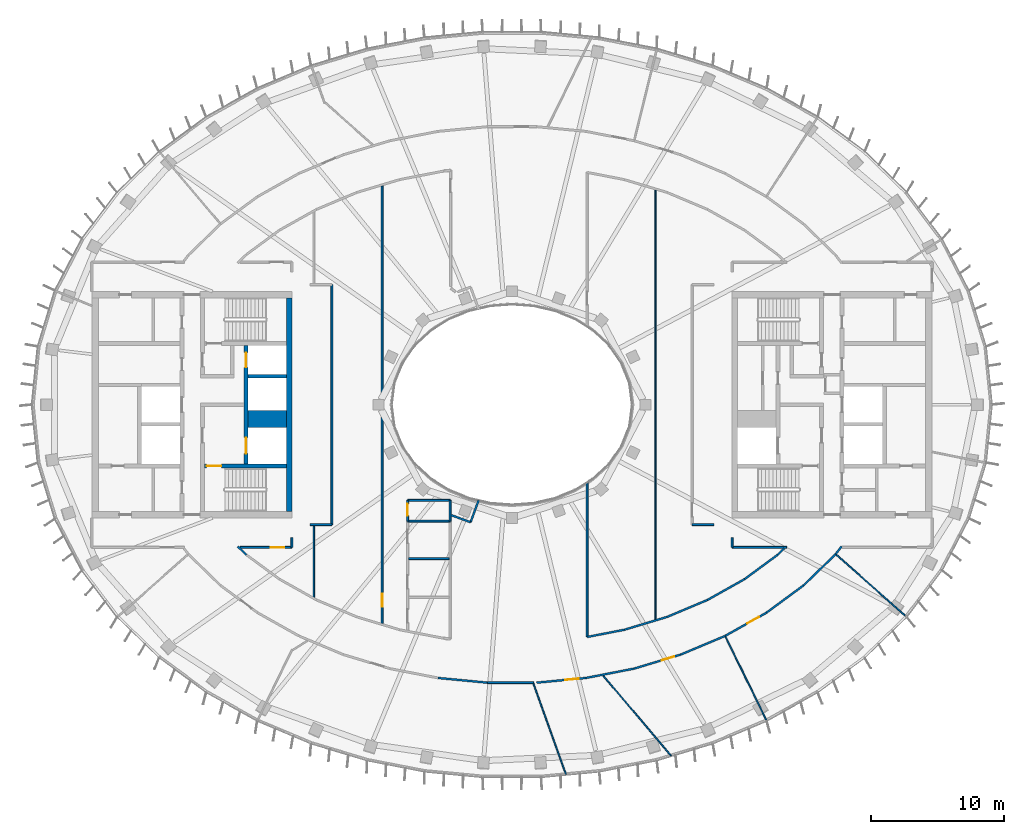
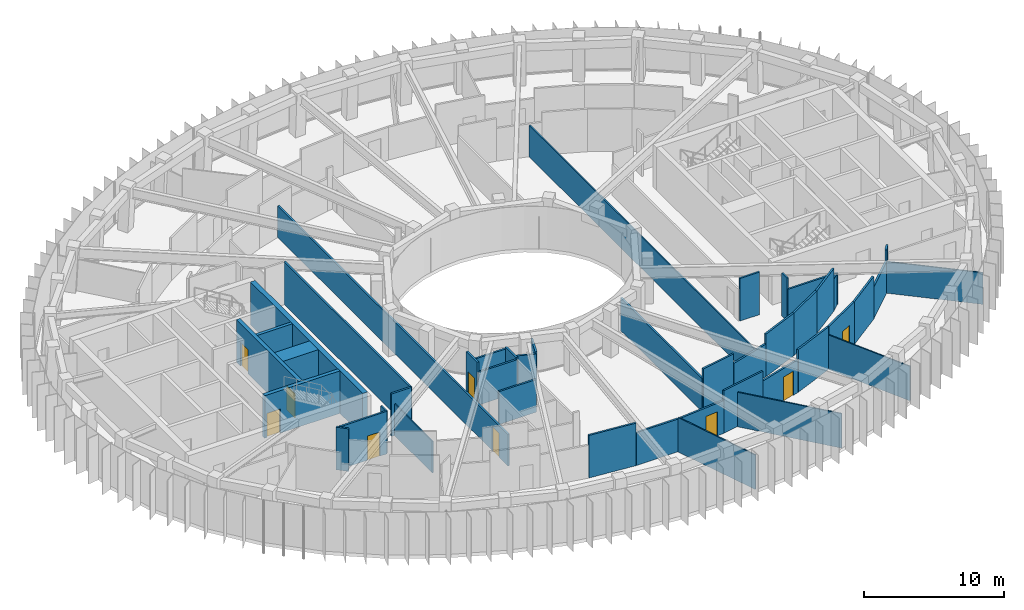
# One storey, part 4 of 13: 44 walls, 9 doors, 9 openings.
"""IFC4 building model written with IfcOpenShell, lengths in metres."""

from ifc_helpers import new_model, si_unit, direction, frame, frame_2d, origin, place, context, subcontext, project, spatial, rectangle, extrude, material, layer, layer_set, type_object, element, fill, save


model = new_model("IFC4")

# Units and contexts
model_context = context("Model", 3, precision=1e-05, world=origin(), true_north=direction((0.0, 1.0)))
body_context = subcontext(model_context, "Body", "Model", "MODEL_VIEW")
ifc_project = project(units=[si_unit("LENGTHUNIT", "METRE"), si_unit("AREAUNIT", "SQUARE_METRE"), si_unit("VOLUMEUNIT", "CUBIC_METRE"), si_unit("PLANEANGLEUNIT", "RADIAN"), si_unit("MASSUNIT", "GRAM", prefix="KILO")], contexts=[model_context])

# Site, building, storey
site_placement = place(None, origin())
site = spatial("IfcSite", under=ifc_project, at=site_placement, CompositionType="ELEMENT")
building_placement = place(site_placement, origin())
building = spatial("IfcBuilding", under=site, at=building_placement, Name="Noorbagh Ring Tower", CompositionType="ELEMENT")
storey_placement = place(building_placement, frame((0.0, 0.0, 327.0)))
storey = spatial("IfcBuildingStorey", under=building, at=storey_placement, Name="L71", CompositionType="ELEMENT", Elevation=327.0)

# Wall, opening, door
ifc_material_1 = material(Name="Gypsum board on steel studs", Category="steel")
ifc_layer_1 = layer(ifc_material_1, 0.14990234375)
ifc_layer_set_1 = layer_set([ifc_layer_1], Name="Gypsum board on steel studs")
wall_type_1 = type_object("IfcWallType", Name="COMPARTMENT PARTITION 150 EI 60", PredefinedType="PARTITIONING", material=ifc_layer_set_1)
wall_1_placement = place(storey_placement, frame((-7.8349609375, -8.73095703125, 0.0), z_axis=(0.0, 0.0, 1.0), x_axis=(0.0, 1.0, 0.0)))
wall_1 = element("IfcWall", 1, at=wall_1_placement, inside=storey, type_object=wall_type_1, Name="L71/wall/P51", PredefinedType="PARTITIONING", context=body_context, shape_type="SweptSolid", body=[
    extrude(rectangle(XDim=1.56005859375, YDim=0.14990234375, at=frame_2d((0.780029296875, 0.0))), origin(), (0.0, 0.0, 1.0), 3.699951171875),
])
opening_1_placement = place(wall_1_placement, frame((0.39990234375, 0.0, 0.0)))
opening_1 = element("IfcOpeningElement", 2, at=opening_1_placement, cuts=wall_1, Name="Opening D4", PredefinedType="OPENING", context=body_context, shape_type="SweptSolid", body=[
    extrude(rectangle(XDim=0.89990234375, YDim=2.10009765625, at=frame_2d((0.449951171875, 1.050048828125))), frame((0.0, 0.0849609375, 0.0), z_axis=(0.0, -1.0, 0.0), x_axis=(1.0, 0.0, 0.0)), (0.0, 0.0, 1.0), 0.169921875),
])
ifc_material_2 = material(Name="Timber, painted", Category="wood")
door_type_1 = type_object("IfcDoorType", Name="DOOR 900 X 2100 FD60", OperationType="SINGLE_SWING_LEFT", PredefinedType="DOOR", material=ifc_material_2)
door_1_placement = place(opening_1_placement, origin())
door_1 = element("IfcDoor", 3, at=door_1_placement, inside=storey, type_object=door_type_1, Name="L71-D05", OperationType="SINGLE_SWING_LEFT", OverallHeight=2.10009765625, OverallWidth=0.89990234375, PredefinedType="DOOR", context=body_context, shape_type="SweptSolid", body=[
    extrude(rectangle(XDim=0.89990234375, YDim=2.10009765625, at=frame_2d((0.449951171875, 1.050048828125))), frame((0.0, 0.02490234375, 0.0), z_axis=(0.0, -1.0, 0.0), x_axis=(1.0, 0.0, 0.0)), (0.0, 0.0, 1.0), 0.050048828125),
])
fill(opening_1, door_1)

# Walls
wall_2_placement = place(storey_placement, frame((-7.8349609375, -8.73095703125, 0.0), z_axis=(0.0, 0.0, 1.0), x_axis=(1.0, 0.0, 0.0)))
element("IfcWall", 4, at=wall_2_placement, inside=storey, type_object=wall_type_1, Name="L71/wall/P52", PredefinedType="PARTITIONING", context=body_context, shape_type="SweptSolid", body=[
    extrude(rectangle(XDim=3.199951171875, YDim=0.14990234375, at=frame_2d((1.60009765625, 0.0))), origin(), (0.0, 0.0, 1.0), 2.85009765625),
])
wall_3_placement = place(storey_placement, frame((-7.8349609375, -7.1708984375, 0.0), z_axis=(0.0, 0.0, 1.0), x_axis=(1.0, 0.0, 0.0)))
element("IfcWall", 5, at=wall_3_placement, inside=storey, type_object=wall_type_1, Name="L71/wall/P53", PredefinedType="PARTITIONING", context=body_context, shape_type="SweptSolid", body=[
    extrude(rectangle(XDim=3.196044921875, YDim=0.14990234375, at=frame_2d((1.59814453125, 0.0))), origin(), (0.0, 0.0, 1.0), 2.85009765625),
])
wall_4_placement = place(storey_placement, frame((-4.635009765625, -8.73095703125, 0.0), z_axis=(0.0, 0.0, 1.0), x_axis=(0.0, 1.0, 0.0)))
element("IfcWall", 6, at=wall_4_placement, inside=storey, type_object=wall_type_1, Name="L71/wall/P59", PredefinedType="PARTITIONING", context=body_context, shape_type="SweptSolid", body=[
    extrude(rectangle(XDim=1.555908203125, YDim=0.14990234375, at=frame_2d((0.77783203125, 0.0))), origin(), (0.0, 0.0, 1.0), 3.0),
])
ifc_material_3 = material(Name="Concrete C50/60", Category="concrete")
ifc_layer_2 = layer(ifc_material_3, 1.25)
ifc_layer_set_2 = layer_set([ifc_layer_2], Name="Concrete C50/60")
wall_type_2 = type_object("IfcWallType", Name="CORE-WALL-1250-C50-60-EI120", PredefinedType="SHEAR", material=ifc_layer_set_2)
wall_5_placement = place(storey_placement, frame((-16.89990234375, -1.074951171875, 0.0), z_axis=(0.0, 0.0, 1.0), x_axis=(-1.0, 0.0, 0.0)))
element("IfcWall", 7, at=wall_5_placement, inside=storey, type_object=wall_type_2, Name="Core wall W", PredefinedType="SHEAR", context=body_context, shape_type="SweptSolid", body=[
    extrude(rectangle(XDim=2.900146484375, YDim=1.25, at=frame_2d((1.4501953125, 0.0))), origin(), (0.0, 0.0, 1.0), 3.699951171875),
])
ifc_material_4 = material(Name="Concrete C50/60", Category="concrete")
ifc_layer_3 = layer(ifc_material_4, 0.25)
ifc_layer_set_3 = layer_set([ifc_layer_3], Name="Concrete C50/60")
wall_type_3 = type_object("IfcWallType", Name="CORE-WALL-250-C50-60-EI120", PredefinedType="SHEAR", material=ifc_layer_set_3)
wall_6_placement = place(storey_placement, frame((-16.89990234375, 2.125, 0.0), z_axis=(0.0, 0.0, 1.0), x_axis=(-1.0, 0.0, 0.0)))
element("IfcWall", 8, at=wall_6_placement, inside=storey, type_object=wall_type_3, Name="Core wall W", PredefinedType="SHEAR", context=body_context, shape_type="SweptSolid", body=[
    extrude(rectangle(XDim=2.900146484375, YDim=0.25, at=frame_2d((1.4501953125, 0.0))), origin(), (0.0, 0.0, 1.0), 3.699951171875),
])

# Wall, openings, doors
ifc_material_5 = material(Name="Concrete C50/60", Category="concrete")
ifc_layer_4 = layer(ifc_material_5, 0.300048828125)
ifc_layer_set_4 = layer_set([ifc_layer_4], Name="Concrete C50/60")
wall_type_4 = type_object("IfcWallType", Name="CORE-WALL-300-C50-60-EI120", PredefinedType="SHEAR", material=ifc_layer_set_4)
wall_7_placement = place(storey_placement, frame((-19.949951171875, -4.449951171875, 0.0), z_axis=(0.0, 0.0, 1.0), x_axis=(0.0, 1.0, 0.0)))
wall_7 = element("IfcWall", 9, at=wall_7_placement, inside=storey, type_object=wall_type_4, Name="Core wall W", PredefinedType="SHEAR", context=body_context, shape_type="SweptSolid", body=[
    extrude(rectangle(XDim=8.89990234375, YDim=0.300048828125, at=frame_2d((4.449951171875, 0.0))), origin(), (0.0, 0.0, 1.0), 3.699951171875),
])
opening_2_placement = place(wall_7_placement, frame((0.77490234375, 0.0, 0.0)))
opening_2 = element("IfcOpeningElement", 10, at=opening_2_placement, cuts=wall_7, Name="Opening L71-CW01", PredefinedType="OPENING", context=body_context, shape_type="SweptSolid", body=[
    extrude(rectangle(XDim=1.199951171875, YDim=2.10009765625, at=frame_2d((0.60009765625, 1.050048828125))), frame((0.0, 0.16015625, 0.0), z_axis=(0.0, -1.0, 0.0), x_axis=(1.0, 0.0, 0.0)), (0.0, 0.0, 1.0), 0.320068359375),
])
opening_3_placement = place(wall_7_placement, frame((7.25, 0.0, 0.0)))
opening_3 = element("IfcOpeningElement", 11, at=opening_3_placement, cuts=wall_7, Name="Opening L71-CW02", PredefinedType="OPENING", context=body_context, shape_type="SweptSolid", body=[
    extrude(rectangle(XDim=1.10009765625, YDim=2.10009765625, at=frame_2d((0.550048828125, 1.050048828125))), frame((0.0, 0.16015625, 0.0), z_axis=(0.0, -1.0, 0.0), x_axis=(1.0, 0.0, 0.0)), (0.0, 0.0, 1.0), 0.320068359375),
])
ifc_material_6 = material(Name="Steel door leaf", Category="steel")
door_type_2 = type_object("IfcDoorType", Name="CORE-DOOR-LD", OperationType="DOUBLE_DOOR_SLIDING", PredefinedType="DOOR", material=ifc_material_6)
door_2_placement = place(opening_3_placement, origin())
door_2 = element("IfcDoor", 12, at=door_2_placement, inside=storey, type_object=door_type_2, Name="Landing door HR1 L71-CW02", OperationType="DOUBLE_DOOR_SLIDING", OverallHeight=2.10009765625, OverallWidth=1.10009765625, PredefinedType="DOOR", context=body_context, shape_type="SweptSolid", body=[
    extrude(rectangle(XDim=1.10009765625, YDim=2.10009765625, at=frame_2d((0.550048828125, 1.050048828125))), frame((0.0, 0.02490234375, 0.0), z_axis=(0.0, -1.0, 0.0), x_axis=(1.0, 0.0, 0.0)), (0.0, 0.0, 1.0), 0.050048828125),
])
fill(opening_3, door_2)
ifc_material_7 = material(Name="Steel door leaf", Category="steel")
door_type_3 = type_object("IfcDoorType", Name="CORE-DOOR-LDW", OperationType="DOUBLE_DOOR_SLIDING", PredefinedType="DOOR", material=ifc_material_7)
door_3_placement = place(opening_2_placement, origin())
door_3 = element("IfcDoor", 13, at=door_3_placement, inside=storey, type_object=door_type_3, Name="Landing door FF1 L71-CW01", OperationType="DOUBLE_DOOR_SLIDING", OverallHeight=2.10009765625, OverallWidth=1.199951171875, PredefinedType="DOOR", context=body_context, shape_type="SweptSolid", body=[
    extrude(rectangle(XDim=1.199951171875, YDim=2.10009765625, at=frame_2d((0.60009765625, 1.050048828125))), frame((0.0, 0.02490234375, 0.0), z_axis=(0.0, -1.0, 0.0), x_axis=(1.0, 0.0, 0.0)), (0.0, 0.0, 1.0), 0.050048828125),
])
fill(opening_2, door_3)

# Wall, opening, door
ifc_material_8 = material(Name="Concrete C50/60", Category="concrete")
ifc_layer_5 = layer(ifc_material_8, 0.300048828125)
ifc_layer_set_5 = layer_set([ifc_layer_5], Name="Concrete C50/60")
wall_type_5 = type_object("IfcWallType", Name="CORE-WALL-300-C50-60-EI240", PredefinedType="SHEAR", material=ifc_layer_set_5)
wall_8_placement = place(storey_placement, frame((-16.89990234375, -4.60009765625, 0.0), z_axis=(0.0, 0.0, 1.0), x_axis=(-1.0, 0.0, 0.0)))
wall_8 = element("IfcWall", 14, at=wall_8_placement, inside=storey, type_object=wall_type_5, Name="Core wall W", PredefinedType="SHEAR", context=body_context, shape_type="SweptSolid", body=[
    extrude(rectangle(XDim=6.18017578125, YDim=0.300048828125, at=frame_2d((3.090087890625, 0.0))), origin(), (0.0, 0.0, 1.0), 3.699951171875),
])
opening_4_placement = place(wall_8_placement, frame((4.89990234375, 0.0, 0.0)))
opening_4 = element("IfcOpeningElement", 15, at=opening_4_placement, cuts=wall_8, Name="Opening L71-CW06", PredefinedType="OPENING", context=body_context, shape_type="SweptSolid", body=[
    extrude(rectangle(XDim=1.10009765625, YDim=2.10009765625, at=frame_2d((0.550048828125, 1.050048828125))), frame((0.0, 0.16015625, 0.0), z_axis=(0.0, -1.0, 0.0), x_axis=(1.0, 0.0, 0.0)), (0.0, 0.0, 1.0), 0.320068359375),
])
ifc_material_9 = material(Name="Steel door leaf", Category="steel")
door_type_4 = type_object("IfcDoorType", Name="CORE-DOOR-DSTAIR", OperationType="SINGLE_SWING_LEFT", PredefinedType="DOOR", material=ifc_material_9)
door_4_placement = place(opening_4_placement, origin())
door_4 = element("IfcDoor", 16, at=door_4_placement, inside=storey, type_object=door_type_4, Name="Stair door ST2 L71-CW06", OperationType="SINGLE_SWING_LEFT", OverallHeight=2.10009765625, OverallWidth=1.10009765625, PredefinedType="DOOR", context=body_context, shape_type="SweptSolid", body=[
    extrude(rectangle(XDim=1.10009765625, YDim=2.10009765625, at=frame_2d((0.550048828125, 1.050048828125))), frame((0.0, 0.02490234375, 0.0), z_axis=(0.0, -1.0, 0.0), x_axis=(1.0, 0.0, 0.0)), (0.0, 0.0, 1.0), 0.050048828125),
])
fill(opening_4, door_4)

# Walls
ifc_material_10 = material(Name="Concrete C50/60", Category="concrete")
ifc_layer_6 = layer(ifc_material_10, 0.39990234375)
ifc_layer_set_6 = layer_set([ifc_layer_6], Name="Concrete C50/60")
wall_type_6 = type_object("IfcWallType", Name="CORE-WALL-400-C50-60-EI240", PredefinedType="SHEAR", material=ifc_layer_set_6)
wall_9_placement = place(storey_placement, frame((-16.699951171875, -8.0, 0.0), z_axis=(0.0, 0.0, 1.0), x_axis=(0.0, 1.0, 0.0)))
element("IfcWall", 17, at=wall_9_placement, inside=storey, type_object=wall_type_6, Name="Core wall W", PredefinedType="SHEAR", context=body_context, shape_type="SweptSolid", body=[
    extrude(rectangle(XDim=16.0, YDim=0.39990234375, at=frame_2d((8.0, 0.0))), origin(), (0.0, 0.0, 1.0), 3.699951171875),
])
ifc_material_11 = material(Name="Gypsum board on steel studs", Category="steel")
ifc_layer_7 = layer(ifc_material_11, 0.14990234375)
ifc_layer_set_7 = layer_set([ifc_layer_7], Name="Gypsum board on steel studs")
wall_type_7 = type_object("IfcWallType", Name="CORRIDOR PARTITION 150 EI 30", PredefinedType="PARTITIONING", material=ifc_layer_set_7)
wall_10_placement = place(storey_placement, frame((-20.572021484375, -10.625, 0.0), z_axis=(0.0, 0.0, 1.0), x_axis=(0.716953986293, -0.697120492841, 0.0)))
element("IfcWall", 18, at=wall_10_placement, inside=storey, type_object=wall_type_7, Name="L71/wall/P14", PredefinedType="PARTITIONING", context=body_context, shape_type="SweptSolid", body=[
    extrude(rectangle(XDim=0.910888671875, YDim=0.14990234375, at=frame_2d((0.45556640625, 0.0))), origin(), (0.0, 0.0, 1.0), 3.699951171875),
])

# Wall, opening, door
wall_11_placement = place(storey_placement, frame((-20.386962890625, -10.699951171875, 0.0), z_axis=(0.0, 0.0, 1.0), x_axis=(1.0, 0.0, 0.0)))
wall_11 = element("IfcWall", 19, at=wall_11_placement, inside=storey, type_object=wall_type_7, Name="L71/wall/P15", PredefinedType="PARTITIONING", context=body_context, shape_type="SweptSolid", body=[
    extrude(rectangle(XDim=3.886962890625, YDim=0.14990234375, at=frame_2d((1.943359375, 0.0))), origin(), (0.0, 0.0, 1.0), 3.699951171875),
])
opening_5_placement = place(wall_11_placement, frame((2.2919921875, 0.0, 0.0)))
opening_5 = element("IfcOpeningElement", 20, at=opening_5_placement, cuts=wall_11, Name="Opening D1", PredefinedType="OPENING", context=body_context, shape_type="SweptSolid", body=[
    extrude(rectangle(XDim=1.0, YDim=2.10009765625, at=frame_2d((0.5, 1.050048828125))), frame((0.0, 0.0849609375, 0.0), z_axis=(0.0, -1.0, 0.0), x_axis=(1.0, 0.0, 0.0)), (0.0, 0.0, 1.0), 0.169921875),
])
ifc_material_12 = material(Name="Timber, painted", Category="wood")
door_type_5 = type_object("IfcDoorType", Name="DOOR 1000 X 2100 FD30", OperationType="SINGLE_SWING_LEFT", PredefinedType="DOOR", material=ifc_material_12)
door_5_placement = place(opening_5_placement, origin())
door_5 = element("IfcDoor", 21, at=door_5_placement, inside=storey, type_object=door_type_5, Name="L71-D20", OperationType="SINGLE_SWING_RIGHT", OverallHeight=2.10009765625, OverallWidth=1.0, PredefinedType="DOOR", context=body_context, shape_type="SweptSolid", body=[
    extrude(rectangle(XDim=1.0, YDim=2.10009765625, at=frame_2d((0.5, 1.050048828125))), frame((0.0, 0.02490234375, 0.0), z_axis=(0.0, -1.0, 0.0), x_axis=(1.0, 0.0, 0.0)), (0.0, 0.0, 1.0), 0.050048828125),
])
fill(opening_5, door_5)

# Walls
wall_12_placement = place(storey_placement, frame((-16.5, -10.699951171875, 0.0), z_axis=(0.0, 0.0, 1.0), x_axis=(0.0, 1.0, 0.0)))
element("IfcWall", 22, at=wall_12_placement, inside=storey, type_object=wall_type_7, Name="L71/wall/P26", PredefinedType="PARTITIONING", context=body_context, shape_type="SweptSolid", body=[
    extrude(rectangle(XDim=0.73583984375, YDim=0.14990234375, at=frame_2d((0.367919921875, 0.0))), origin(), (0.0, 0.0, 1.0), 3.699951171875),
])
wall_13_placement = place(storey_placement, frame((-15.134033203125, -9.0, 0.0), z_axis=(0.0, 0.0, 1.0), x_axis=(1.0, 0.0, 0.0)))
element("IfcWall", 23, at=wall_13_placement, inside=storey, type_object=wall_type_7, Name="L71/wall/P30", PredefinedType="PARTITIONING", context=body_context, shape_type="SweptSolid", body=[
    extrude(rectangle(XDim=1.634033203125, YDim=0.14990234375, at=frame_2d((0.81689453125, 0.0))), origin(), (0.0, 0.0, 1.0), 3.699951171875),
])
wall_14_placement = place(storey_placement, frame((-13.5, -9.0, 0.0), z_axis=(0.0, 0.0, 1.0), x_axis=(0.0, 1.0, 0.0)))
element("IfcWall", 24, at=wall_14_placement, inside=storey, type_object=wall_type_7, Name="L71/wall/P38", PredefinedType="PARTITIONING", context=body_context, shape_type="SweptSolid", body=[
    extrude(rectangle(XDim=18.0, YDim=0.14990234375, at=frame_2d((9.0, 0.0))), origin(), (0.0, 0.0, 1.0), 3.699951171875),
])

# Wall, opening, door
wall_15_placement = place(storey_placement, frame((-9.735107421875, -16.405029296875, 0.0), z_axis=(0.0, 0.0, 1.0), x_axis=(0.0, 1.0, 0.0)))
wall_15 = element("IfcWall", 25, at=wall_15_placement, inside=storey, type_object=wall_type_7, Name="L71/wall/P43", PredefinedType="PARTITIONING", context=body_context, shape_type="SweptSolid", body=[
    extrude(rectangle(XDim=32.81005859375, YDim=0.14990234375, at=frame_2d((16.405029296875, 0.0))), origin(), (0.0, 0.0, 1.0), 2.75),
])
opening_6_placement = place(wall_15_placement, frame((1.238037109375, 0.0, 0.0)))
opening_6 = element("IfcOpeningElement", 26, at=opening_6_placement, cuts=wall_15, Name="Opening D1", PredefinedType="OPENING", context=body_context, shape_type="SweptSolid", body=[
    extrude(rectangle(XDim=1.0, YDim=2.10009765625, at=frame_2d((0.5, 1.050048828125))), frame((0.0, 0.0849609375, 0.0), z_axis=(0.0, -1.0, 0.0), x_axis=(1.0, 0.0, 0.0)), (0.0, 0.0, 1.0), 0.169921875),
])
door_6_placement = place(opening_6_placement, origin())
door_6 = element("IfcDoor", 27, at=door_6_placement, inside=storey, type_object=door_type_5, Name="L71-D22", OperationType="SINGLE_SWING_RIGHT", OverallHeight=2.10009765625, OverallWidth=1.0, PredefinedType="DOOR", context=body_context, shape_type="SweptSolid", body=[
    extrude(rectangle(XDim=1.0, YDim=2.10009765625, at=frame_2d((0.5, 1.050048828125))), frame((0.0, 0.02490234375, 0.0), z_axis=(0.0, -1.0, 0.0), x_axis=(1.0, 0.0, 0.0)), (0.0, 0.0, 1.0), 0.050048828125),
])
fill(opening_6, door_6)

# Walls
wall_16_placement = place(storey_placement, frame((-7.760009765625, -11.5390625, 0.0), z_axis=(0.0, 0.0, 1.0), x_axis=(1.0, 0.0, 0.0)))
element("IfcWall", 28, at=wall_16_placement, inside=storey, type_object=wall_type_7, Name="L71/wall/P50", PredefinedType="PARTITIONING", context=body_context, shape_type="SweptSolid", body=[
    extrude(rectangle(XDim=3.050048828125, YDim=0.14990234375, at=frame_2d((1.52490234375, 0.0))), origin(), (0.0, 0.0, 1.0), 2.85009765625),
])
wall_17_placement = place(storey_placement, frame((-5.54296875, -20.49609375, 0.0), z_axis=(0.0, 0.0, 1.0), x_axis=(0.995480948187, -0.09496147533, 0.0)))
element("IfcWall", 29, at=wall_17_placement, inside=storey, type_object=wall_type_7, Name="L71/wall/P54", PredefinedType="PARTITIONING", context=body_context, shape_type="SweptSolid", body=[
    extrude(rectangle(XDim=3.704833984375, YDim=0.14990234375, at=frame_2d((1.8525390625, 0.0))), origin(), (0.0, 0.0, 1.0), 3.699951171875),
])
wall_18_placement = place(storey_placement, frame((-4.56494140625, -8.282958984375, 0.0), z_axis=(0.0, 0.0, 1.0), x_axis=(0.939218118812, -0.343321023672, 0.0)))
element("IfcWall", 30, at=wall_18_placement, inside=storey, type_object=wall_type_7, Name="L71/wall/P61", PredefinedType="PARTITIONING", context=body_context, shape_type="SweptSolid", body=[
    extrude(rectangle(XDim=1.55224609375, YDim=0.14990234375, at=frame_2d((0.776123046875, 0.0))), origin(), (0.0, 0.0, 1.0), 2.85009765625),
])
wall_19_placement = place(storey_placement, frame((-3.10693359375, -8.81591796875, 0.0), z_axis=(0.0, 0.0, 1.0), x_axis=(0.344406234928, 0.938820720555, 0.0)))
element("IfcWall", 31, at=wall_19_placement, inside=storey, type_object=wall_type_7, Name="L71/wall/P63", PredefinedType="PARTITIONING", context=body_context, shape_type="SweptSolid", body=[
    extrude(rectangle(XDim=1.7509765625, YDim=0.14990234375, at=frame_2d((0.87548828125, 0.0))), origin(), (0.0, 0.0, 1.0), 3.0),
])
wall_20_placement = place(storey_placement, frame((-1.85498046875, -20.847900390625, 0.0), z_axis=(0.0, 0.0, 1.0), x_axis=(1.0, 0.0, 0.0)))
element("IfcWall", 32, at=wall_20_placement, inside=storey, type_object=wall_type_7, Name="L71/wall/P65", PredefinedType="PARTITIONING", context=body_context, shape_type="SweptSolid", body=[
    extrude(rectangle(XDim=3.48388671875, YDim=0.14990234375, at=frame_2d((1.741943359375, 0.0))), origin(), (0.0, 0.0, 1.0), 2.85009765625),
])

# Wall, opening, door
wall_21_placement = place(storey_placement, frame((1.85498046875, -20.847900390625, 0.0), z_axis=(0.0, 0.0, 1.0), x_axis=(0.995480948187, 0.09496147533, 0.0)))
wall_21 = element("IfcWall", 33, at=wall_21_placement, inside=storey, type_object=wall_type_7, Name="L71/wall/P68", PredefinedType="PARTITIONING", context=body_context, shape_type="SweptSolid", body=[
    extrude(rectangle(XDim=3.704833984375, YDim=0.14990234375, at=frame_2d((1.8525390625, 0.0))), origin(), (0.0, 0.0, 1.0), 2.85009765625),
])
opening_7_placement = place(wall_21_placement, frame((2.14990234375, 0.0, 0.0)))
opening_7 = element("IfcOpeningElement", 34, at=opening_7_placement, cuts=wall_21, Name="Opening D1", PredefinedType="OPENING", context=body_context, shape_type="SweptSolid", body=[
    extrude(rectangle(XDim=1.0, YDim=2.10009765625, at=frame_2d((0.5, 1.050048828125))), frame((0.0, 0.0849609375, 0.0), z_axis=(0.0, -1.0, 0.0), x_axis=(1.0, 0.0, 0.0)), (0.0, 0.0, 1.0), 0.169921875),
])
door_7_placement = place(opening_7_placement, origin())
door_7 = element("IfcDoor", 35, at=door_7_placement, inside=storey, type_object=door_type_5, Name="L71-D12", OperationType="SINGLE_SWING_RIGHT", OverallHeight=2.10009765625, OverallWidth=1.0, PredefinedType="DOOR", context=body_context, shape_type="SweptSolid", body=[
    extrude(rectangle(XDim=1.0, YDim=2.10009765625, at=frame_2d((0.5, 1.050048828125))), frame((0.0, 0.02490234375, 0.0), z_axis=(0.0, -1.0, 0.0), x_axis=(1.0, 0.0, 0.0)), (0.0, 0.0, 1.0), 0.050048828125),
])
fill(opening_7, door_7)

# Walls
wall_22_placement = place(storey_placement, frame((5.54296875, -20.49609375, 0.0), z_axis=(0.0, 0.0, 1.0), x_axis=(0.981633657006, 0.19077568879, 0.0)))
element("IfcWall", 36, at=wall_22_placement, inside=storey, type_object=wall_type_7, Name="L71/wall/P71", PredefinedType="PARTITIONING", context=body_context, shape_type="SweptSolid", body=[
    extrude(rectangle(XDim=3.685546875, YDim=0.14990234375, at=frame_2d((1.8427734375, 0.0))), origin(), (0.0, 0.0, 1.0), 3.699951171875),
])
wall_23_placement = place(storey_placement, frame((5.635986328125, -17.422119140625, 0.0), z_axis=(0.0, 0.0, 1.0), x_axis=(0.981618503301, 0.190853645439, 0.0)))
element("IfcWall", 37, at=wall_23_placement, inside=storey, type_object=wall_type_7, Name="L71/wall/P73", PredefinedType="PARTITIONING", context=body_context, shape_type="SweptSolid", body=[
    extrude(rectangle(XDim=2.8564453125, YDim=0.14990234375, at=frame_2d((1.42822265625, 0.0))), origin(), (0.0, 0.0, 1.0), 3.699951171875),
])
wall_24_placement = place(storey_placement, frame((5.635986328125, -17.41796875, 0.0), z_axis=(0.0, 0.0, 1.0), x_axis=(0.0, 1.0, 0.0)))
element("IfcWall", 38, at=wall_24_placement, inside=storey, type_object=wall_type_7, Name="L71/wall/P74", PredefinedType="PARTITIONING", context=body_context, shape_type="SweptSolid", body=[
    extrude(rectangle(XDim=11.60888671875, YDim=0.14990234375, at=frame_2d((5.804443359375, 0.0))), origin(), (0.0, 0.0, 1.0), 2.85009765625),
])
wall_25_placement = place(storey_placement, frame((8.43994140625, -16.876953125, 0.0), z_axis=(0.0, 0.0, 1.0), x_axis=(0.957584891346, 0.288151307243, 0.0)))
element("IfcWall", 39, at=wall_25_placement, inside=storey, type_object=wall_type_7, Name="L71/wall/P78", PredefinedType="PARTITIONING", context=body_context, shape_type="SweptSolid", body=[
    extrude(rectangle(XDim=3.344970703125, YDim=0.14990234375, at=frame_2d((1.67236328125, 0.0))), origin(), (0.0, 0.0, 1.0), 2.85009765625),
])

# Wall, opening, door
wall_26_placement = place(storey_placement, frame((9.160888671875, -19.79296875, 0.0), z_axis=(0.0, 0.0, 1.0), x_axis=(0.957557315887, 0.288242930166, 0.0)))
wall_26 = element("IfcWall", 40, at=wall_26_placement, inside=storey, type_object=wall_type_7, Name="L71/wall/P80", PredefinedType="PARTITIONING", context=body_context, shape_type="SweptSolid", body=[
    extrude(rectangle(XDim=3.653076171875, YDim=0.14990234375, at=frame_2d((1.82666015625, 0.0))), origin(), (0.0, 0.0, 1.0), 2.85009765625),
])
opening_8_placement = place(wall_26_placement, frame((2.14990234375, 0.0, 0.0)))
opening_8 = element("IfcOpeningElement", 41, at=opening_8_placement, cuts=wall_26, Name="Opening D1", PredefinedType="OPENING", context=body_context, shape_type="SweptSolid", body=[
    extrude(rectangle(XDim=1.0, YDim=2.10009765625, at=frame_2d((0.5, 1.050048828125))), frame((0.0, 0.0849609375, 0.0), z_axis=(0.0, -1.0, 0.0), x_axis=(1.0, 0.0, 0.0)), (0.0, 0.0, 1.0), 0.169921875),
])
door_8_placement = place(opening_8_placement, origin())
door_8 = element("IfcDoor", 42, at=door_8_placement, inside=storey, type_object=door_type_5, Name="L71-D14", OperationType="SINGLE_SWING_RIGHT", OverallHeight=2.10009765625, OverallWidth=1.0, PredefinedType="DOOR", context=body_context, shape_type="SweptSolid", body=[
    extrude(rectangle(XDim=1.0, YDim=2.10009765625, at=frame_2d((0.5, 1.050048828125))), frame((0.0, 0.02490234375, 0.0), z_axis=(0.0, -1.0, 0.0), x_axis=(1.0, 0.0, 0.0)), (0.0, 0.0, 1.0), 0.050048828125),
])
fill(opening_8, door_8)

# Walls
wall_27_placement = place(storey_placement, frame((11.64306640625, -15.9130859375, 0.0), z_axis=(0.0, 0.0, 1.0), x_axis=(0.921789499058, 0.38769075231, 0.0)))
element("IfcWall", 43, at=wall_27_placement, inside=storey, type_object=wall_type_7, Name="L71/wall/P84", PredefinedType="PARTITIONING", context=body_context, shape_type="SweptSolid", body=[
    extrude(rectangle(XDim=3.2783203125, YDim=0.14990234375, at=frame_2d((1.63916015625, 0.0))), origin(), (0.0, 0.0, 1.0), 3.699951171875),
])
wall_28_placement = place(storey_placement, frame((12.658935546875, -18.739990234375, 0.0), z_axis=(0.0, 0.0, 1.0), x_axis=(0.921892665822, 0.38744536738, 0.0)))
element("IfcWall", 44, at=wall_28_placement, inside=storey, type_object=wall_type_7, Name="L71/wall/P86", PredefinedType="PARTITIONING", context=body_context, shape_type="SweptSolid", body=[
    extrude(rectangle(XDim=3.58740234375, YDim=0.14990234375, at=frame_2d((1.793701171875, 0.0))), origin(), (0.0, 0.0, 1.0), 3.699951171875),
])
wall_29_placement = place(storey_placement, frame((13.5, -9.0, 0.0), z_axis=(0.0, 0.0, 1.0), x_axis=(1.0, 0.0, 0.0)))
element("IfcWall", 45, at=wall_29_placement, inside=storey, type_object=wall_type_7, Name="L71/wall/P89", PredefinedType="PARTITIONING", context=body_context, shape_type="SweptSolid", body=[
    extrude(rectangle(XDim=1.634033203125, YDim=0.14990234375, at=frame_2d((0.81689453125, 0.0))), origin(), (0.0, 0.0, 1.0), 3.699951171875),
])
wall_30_placement = place(storey_placement, frame((14.6650390625, -14.64208984375, 0.0), z_axis=(0.0, 0.0, 1.0), x_axis=(0.872072095629, 0.489377420837, 0.0)))
element("IfcWall", 46, at=wall_30_placement, inside=storey, type_object=wall_type_7, Name="L71/wall/P91", PredefinedType="PARTITIONING", context=body_context, shape_type="SweptSolid", body=[
    extrude(rectangle(XDim=3.187744140625, YDim=0.14990234375, at=frame_2d((1.59375, 0.0))), origin(), (0.0, 0.0, 1.0), 3.699951171875),
])

# Wall, opening, door
wall_31_placement = place(storey_placement, frame((16.001953125, -17.33203125, 0.0), z_axis=(0.0, 0.0, 1.0), x_axis=(0.871995198984, 0.489514425679, 0.0)))
wall_31 = element("IfcWall", 47, at=wall_31_placement, inside=storey, type_object=wall_type_7, Name="L71/wall/P95", PredefinedType="PARTITIONING", context=body_context, shape_type="SweptSolid", body=[
    extrude(rectangle(XDim=3.524169921875, YDim=0.14990234375, at=frame_2d((1.76220703125, 0.0))), origin(), (0.0, 0.0, 1.0), 3.699951171875),
])
opening_9_placement = place(wall_31_placement, frame((1.88037109375, 0.0, 0.0)))
opening_9 = element("IfcOpeningElement", 48, at=opening_9_placement, cuts=wall_31, Name="Opening D1", PredefinedType="OPENING", context=body_context, shape_type="SweptSolid", body=[
    extrude(rectangle(XDim=1.0, YDim=2.10009765625, at=frame_2d((0.5, 1.050048828125))), frame((0.0, 0.0849609375, 0.0), z_axis=(0.0, -1.0, 0.0), x_axis=(1.0, 0.0, 0.0)), (0.0, 0.0, 1.0), 0.169921875),
])
door_9_placement = place(opening_9_placement, origin())
door_9 = element("IfcDoor", 49, at=door_9_placement, inside=storey, type_object=door_type_5, Name="L71-D16", OperationType="SINGLE_SWING_RIGHT", OverallHeight=2.10009765625, OverallWidth=1.0, PredefinedType="DOOR", context=body_context, shape_type="SweptSolid", body=[
    extrude(rectangle(XDim=1.0, YDim=2.10009765625, at=frame_2d((0.5, 1.050048828125))), frame((0.0, 0.02490234375, 0.0), z_axis=(0.0, -1.0, 0.0), x_axis=(1.0, 0.0, 0.0)), (0.0, 0.0, 1.0), 0.050048828125),
])
fill(opening_9, door_9)

# Walls
wall_32_placement = place(storey_placement, frame((16.5, -10.699951171875, 0.0), z_axis=(0.0, 0.0, 1.0), x_axis=(0.0, 1.0, 0.0)))
element("IfcWall", 50, at=wall_32_placement, inside=storey, type_object=wall_type_7, Name="L71/wall/P96", PredefinedType="PARTITIONING", context=body_context, shape_type="SweptSolid", body=[
    extrude(rectangle(XDim=0.73583984375, YDim=0.14990234375, at=frame_2d((0.367919921875, 0.0))), origin(), (0.0, 0.0, 1.0), 3.699951171875),
])
wall_33_placement = place(storey_placement, frame((16.5, -10.699951171875, 0.0), z_axis=(0.0, 0.0, 1.0), x_axis=(1.0, 0.0, 0.0)))
element("IfcWall", 51, at=wall_33_placement, inside=storey, type_object=wall_type_7, Name="L71/wall/P97", PredefinedType="PARTITIONING", context=body_context, shape_type="SweptSolid", body=[
    extrude(rectangle(XDim=4.10302734375, YDim=0.14990234375, at=frame_2d((2.051513671875, 0.0))), origin(), (0.0, 0.0, 1.0), 2.75),
])
wall_34_placement = place(storey_placement, frame((17.445068359375, -13.08203125, 0.0), z_axis=(0.0, 0.0, 1.0), x_axis=(0.805185638843, 0.593022838516, 0.0)))
element("IfcWall", 52, at=wall_34_placement, inside=storey, type_object=wall_type_7, Name="L71/wall/P100", PredefinedType="PARTITIONING", context=body_context, shape_type="SweptSolid", body=[
    extrude(rectangle(XDim=3.072509765625, YDim=0.14990234375, at=frame_2d((1.5361328125, 0.0))), origin(), (0.0, 0.0, 1.0), 3.699951171875),
])
wall_35_placement = place(storey_placement, frame((19.074951171875, -15.60693359375, 0.0), z_axis=(0.0, 0.0, 1.0), x_axis=(0.805248975221, 0.59293683298, 0.0)))
element("IfcWall", 53, at=wall_35_placement, inside=storey, type_object=wall_type_7, Name="L71/wall/P102", PredefinedType="PARTITIONING", context=body_context, shape_type="SweptSolid", body=[
    extrude(rectangle(XDim=3.46240234375, YDim=0.14990234375, at=frame_2d((1.731201171875, 0.0))), origin(), (0.0, 0.0, 1.0), 3.699951171875),
])
wall_36_placement = place(storey_placement, frame((19.9189453125, -11.260009765625, 0.0), z_axis=(0.0, 0.0, 1.0), x_axis=(0.717033879939, 0.697038316751, 0.0)))
element("IfcWall", 54, at=wall_36_placement, inside=storey, type_object=wall_type_7, Name="L71/wall/P105", PredefinedType="PARTITIONING", context=body_context, shape_type="SweptSolid", body=[
    extrude(rectangle(XDim=0.696044921875, YDim=0.14990234375, at=frame_2d((0.34814453125, 0.0))), origin(), (0.0, 0.0, 1.0), 2.75),
])
wall_37_placement = place(storey_placement, frame((21.863037109375, -13.553955078125, 0.0), z_axis=(0.0, 0.0, 1.0), x_axis=(0.71712899883, 0.696940455876, 0.0)))
element("IfcWall", 55, at=wall_37_placement, inside=storey, type_object=wall_type_7, Name="L71/wall/P107", PredefinedType="PARTITIONING", context=body_context, shape_type="SweptSolid", body=[
    extrude(rectangle(XDim=3.36181640625, YDim=0.14990234375, at=frame_2d((1.680908203125, 0.0))), origin(), (0.0, 0.0, 1.0), 2.75),
])
wall_38_placement = place(storey_placement, frame((24.285888671875, -11.195068359375, 0.0), z_axis=(0.0, 0.0, 1.0), x_axis=(0.604087646983, 0.796917884579, 0.0)))
element("IfcWall", 56, at=wall_38_placement, inside=storey, type_object=wall_type_7, Name="L71/wall/P111", PredefinedType="PARTITIONING", context=body_context, shape_type="SweptSolid", body=[
    extrude(rectangle(XDim=0.71533203125, YDim=0.14990234375, at=frame_2d((0.357666015625, 0.0))), origin(), (0.0, 0.0, 1.0), 3.699951171875),
])
ifc_material_13 = material(Name="Gypsum board on steel studs", Category="steel")
ifc_layer_8 = layer(ifc_material_13, 0.10009765625)
ifc_layer_set_8 = layer_set([ifc_layer_8], Name="Gypsum board on steel studs")
wall_type_8 = type_object("IfcWallType", Name="PARTITION 100 GYPSUM", PredefinedType="PARTITIONING", material=ifc_layer_set_8)
wall_39_placement = place(storey_placement, frame((-14.85888671875, -14.443115234375, 0.0), z_axis=(0.0, 0.0, 1.0), x_axis=(0.0, 1.0, 0.0)))
element("IfcWall", 57, at=wall_39_placement, inside=storey, type_object=wall_type_8, Name="L71/wall/P33", PredefinedType="PARTITIONING", context=body_context, shape_type="SweptSolid", body=[
    extrude(rectangle(XDim=5.3681640625, YDim=0.10009765625, at=frame_2d((2.68408203125, 0.0))), origin(), (0.0, 0.0, 1.0), 2.75),
])
wall_40_placement = place(storey_placement, frame((1.60400390625, -20.927001953125, 0.0), z_axis=(0.0, 0.0, 1.0), x_axis=(0.338410340895, -0.940998640369, 0.0)))
element("IfcWall", 58, at=wall_40_placement, inside=storey, type_object=wall_type_8, Name="L71/wall/P67", PredefinedType="PARTITIONING", context=body_context, shape_type="SweptSolid", body=[
    extrude(rectangle(XDim=7.2158203125, YDim=0.10009765625, at=frame_2d((3.60791015625, 0.0))), origin(), (0.0, 0.0, 1.0), 3.0),
])
wall_41_placement = place(storey_placement, frame((6.839111328125, -20.321044921875, 0.0), z_axis=(0.0, 0.0, 1.0), x_axis=(0.646487408076, -0.762924656305, 0.0)))
element("IfcWall", 59, at=wall_41_placement, inside=storey, type_object=wall_type_8, Name="L71/wall/P77", PredefinedType="PARTITIONING", context=body_context, shape_type="SweptSolid", body=[
    extrude(rectangle(XDim=7.866943359375, YDim=0.10009765625, at=frame_2d((3.93359375, 0.0))), origin(), (0.0, 0.0, 1.0), 3.0),
])
wall_42_placement = place(storey_placement, frame((10.760009765625, -16.096923828125, 0.0), z_axis=(0.0, 0.0, 1.0), x_axis=(0.0, 1.0, 0.0)))
element("IfcWall", 60, at=wall_42_placement, inside=storey, type_object=wall_type_8, Name="L71/wall/P83", PredefinedType="PARTITIONING", context=body_context, shape_type="SweptSolid", body=[
    extrude(rectangle(XDim=32.19384765625, YDim=0.10009765625, at=frame_2d((16.096923828125, 0.0))), origin(), (0.0, 0.0, 1.0), 2.75),
])
wall_43_placement = place(storey_placement, frame((15.986083984375, -17.344970703125, 0.0), z_axis=(0.0, 0.0, 1.0), x_axis=(0.439239293268, -0.898370103715, 0.0)))
element("IfcWall", 61, at=wall_43_placement, inside=storey, type_object=wall_type_8, Name="L71/wall/P94", PredefinedType="PARTITIONING", context=body_context, shape_type="SweptSolid", body=[
    extrude(rectangle(XDim=7.057373046875, YDim=0.10009765625, at=frame_2d((3.52880859375, 0.0))), origin(), (0.0, 0.0, 1.0), 3.0),
])
wall_44_placement = place(storey_placement, frame((24.277099609375, -11.212890625, 0.0), z_axis=(0.0, 0.0, 1.0), x_axis=(0.748943800592, -0.662633521303, 0.0)))
element("IfcWall", 62, at=wall_44_placement, inside=storey, type_object=wall_type_8, Name="L71/wall/P110", PredefinedType="PARTITIONING", context=body_context, shape_type="SweptSolid", body=[
    extrude(rectangle(XDim=7.06591796875, YDim=0.10009765625, at=frame_2d((3.532958984375, 0.0))), origin(), (0.0, 0.0, 1.0), 2.75),
])

save(model, "model.ifc")
